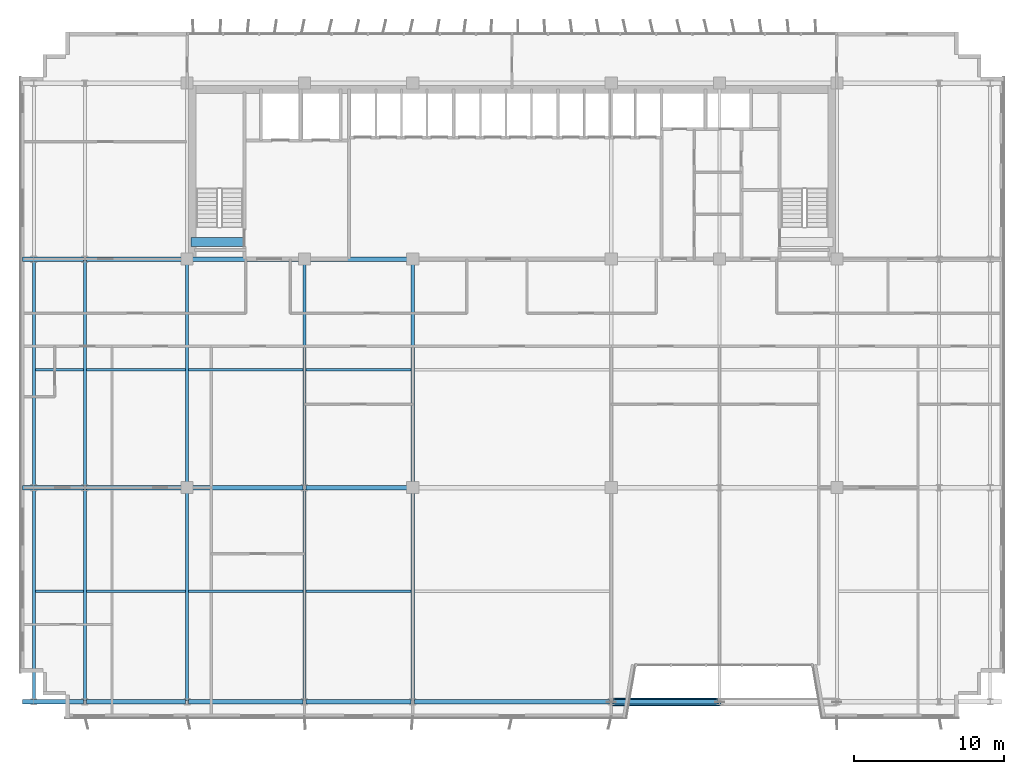
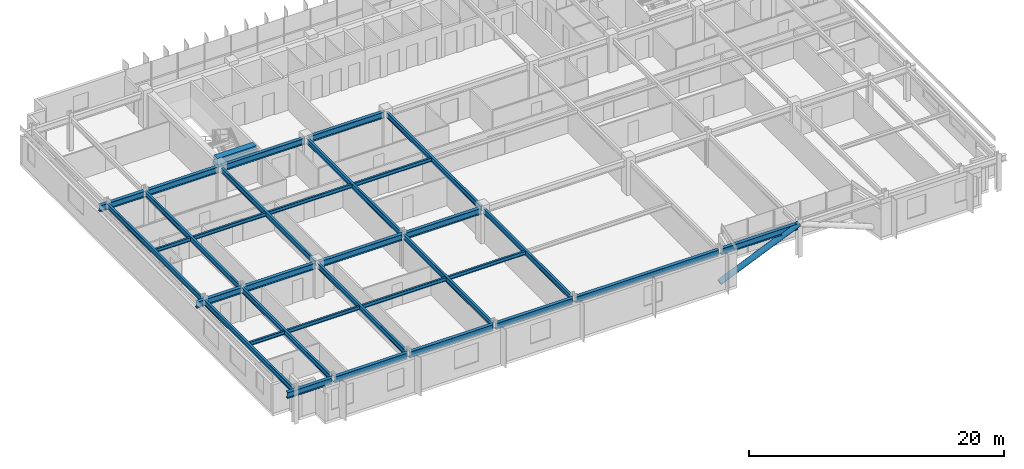
# One storey, part 5 of 26: 33 beams, 1 member.
"""IFC4 building model written with IfcOpenShell, lengths in metres."""

from ifc_helpers import new_model, si_unit, direction, frame, origin, origin_2d, place, context, subcontext, project, spatial, rectangle, hollow_circle, i_section, extrude, source, transform, mapped, material, material_profile, profile_set, type_object, element, save


model = new_model("IFC4")

# Units and contexts
model_context = context("Model", 3, precision=1e-05, world=origin(), true_north=direction((0.0, 1.0)))
body_context = subcontext(model_context, "Body", "Model", "MODEL_VIEW")
ifc_project = project(units=[si_unit("LENGTHUNIT", "METRE"), si_unit("AREAUNIT", "SQUARE_METRE"), si_unit("VOLUMEUNIT", "CUBIC_METRE"), si_unit("PLANEANGLEUNIT", "RADIAN"), si_unit("MASSUNIT", "GRAM", prefix="KILO")], contexts=[model_context])

# Site, building, storey
site_placement = place(None, origin())
site = spatial("IfcSite", under=ifc_project, at=site_placement, CompositionType="ELEMENT")
building_placement = place(site_placement, origin())
building = spatial("IfcBuilding", under=site, at=building_placement, Name="Trelvane Seafront Commons", CompositionType="ELEMENT")
storey_placement = place(building_placement, frame((0.0, 0.0, 128.5)))
storey = spatial("IfcBuildingStorey", under=building, at=storey_placement, Name="L33", CompositionType="ELEMENT", Elevation=128.5)

# Beams
ifc_material_1 = material(Name="Concrete C60/75", Category="concrete")
ifc_material_profile_1 = material_profile(ifc_material_1, rectangle(XDim=0.60009765625, YDim=0.89990234375, at=origin_2d()), Name="RC-600x900")
ifc_profile_set_1 = profile_set([ifc_material_profile_1], Name="Concrete C60/75")
beam_type_1 = type_object("IfcBeamType", Name="STR-LNT-RC600x900", PredefinedType="LINTEL", material=ifc_profile_set_1)
shared_shape_1 = source(origin(), body_context, "Body", "SweptSolid", [
    extrude(rectangle(XDim=0.60009765625, YDim=0.89990234375, at=origin_2d()), origin(), (0.0, 0.0, 1.0), 3.5498046875),
])
beam_1_placement = place(storey_placement, frame((15.85009765625, 34.550048828125, 2.77001953125), z_axis=(1.0, 0.0, 0.0), x_axis=(0.0, 1.0, 0.0)))
element("IfcBeam", 1, at=beam_1_placement, inside=storey, type_object=beam_type_1, Name="L33 Core Coupling Lintel Beam CB-83", PredefinedType="LINTEL", context=body_context, shape_type="MappedRepresentation", body=[
    mapped(shared_shape_1, transform((0.0, 0.0, 0.0), x_axis=(1.0, 0.0, 0.0), y_axis=(0.0, 1.0, 0.0), z_axis=(0.0, 0.0, 1.0), scale=1.0)),
])
ifc_material_2 = material(Name="Steel SM355 (S355)", Category="steel")
ifc_material_profile_2 = material_profile(ifc_material_2, i_section(OverallWidth=0.300048828125, OverallDepth=0.587890625, WebThickness=0.011962890625, FlangeThickness=0.02001953125, at=origin_2d()), Name="H-588x300x12x20")
ifc_profile_set_2 = profile_set([ifc_material_profile_2], Name="Steel SM355 (S355)")
beam_type_2 = type_object("IfcBeamType", Name="STR-BM-H588", PredefinedType="BEAM", material=ifc_profile_set_2)
shared_shape_2 = source(origin(), body_context, "Body", "SweptSolid", [
    extrude(i_section(OverallWidth=0.300048828125, OverallDepth=0.587890625, WebThickness=0.011962890625, FlangeThickness=0.02001953125, at=origin_2d()), origin(), (0.0, 0.0, 1.0), 7.550048828125),
])
beam_2_placement = place(storey_placement, frame((15.75, 18.199951171875, 2.926025390625), z_axis=(1.0, 0.0, 0.0), x_axis=(0.0, 1.0, 0.0)))
element("IfcBeam", 2, at=beam_2_placement, inside=storey, type_object=beam_type_2, Name="L33 Primary Girder G-12", PredefinedType="BEAM", context=body_context, shape_type="MappedRepresentation", body=[
    mapped(shared_shape_2, transform((0.0, 0.0, 0.0), x_axis=(1.0, 0.0, 0.0), y_axis=(0.0, 1.0, 0.0), z_axis=(0.0, 0.0, 1.0), scale=1.0)),
])
shared_shape_3 = source(origin(), body_context, "Body", "SweptSolid", [
    extrude(i_section(OverallWidth=0.300048828125, OverallDepth=0.587890625, WebThickness=0.011962890625, FlangeThickness=0.02001953125, at=origin_2d()), origin(), (0.0, 0.0, 1.0), 6.60009765625),
])
beam_3_placement = place(storey_placement, frame((8.89990234375, 3.949951171875, 2.926025390625), z_axis=(1.0, 0.0, 0.0), x_axis=(0.0, 1.0, 0.0)))
element("IfcBeam", 3, at=beam_3_placement, inside=storey, type_object=beam_type_2, Name="L33 Primary Girder G-02", PredefinedType="BEAM", context=body_context, shape_type="MappedRepresentation", body=[
    mapped(shared_shape_3, transform((0.0, 0.0, 0.0), x_axis=(1.0, 0.0, 0.0), y_axis=(0.0, 1.0, 0.0), z_axis=(0.0, 0.0, 1.0), scale=1.0)),
])
shared_shape_4 = source(origin(), body_context, "Body", "SweptSolid", [
    extrude(i_section(OverallWidth=0.300048828125, OverallDepth=0.587890625, WebThickness=0.011962890625, FlangeThickness=0.02001953125, at=origin_2d()), origin(), (0.0, 0.0, 1.0), 7.60009765625),
])
beam_4_placement = place(storey_placement, frame((15.699951171875, 3.949951171875, 2.926025390625), z_axis=(1.0, 0.0, 0.0), x_axis=(0.0, 1.0, 0.0)))
element("IfcBeam", 4, at=beam_4_placement, inside=storey, type_object=beam_type_2, Name="L33 Primary Girder G-03", PredefinedType="BEAM", context=body_context, shape_type="MappedRepresentation", body=[
    mapped(shared_shape_4, transform((0.0, 0.0, 0.0), x_axis=(1.0, 0.0, 0.0), y_axis=(0.0, 1.0, 0.0), z_axis=(0.0, 0.0, 1.0), scale=1.0)),
])
shared_shape_5 = source(origin(), body_context, "Body", "SweptSolid", [
    extrude(i_section(OverallWidth=0.300048828125, OverallDepth=0.587890625, WebThickness=0.011962890625, FlangeThickness=0.02001953125, at=origin_2d()), origin(), (0.0, 0.0, 1.0), 7.0),
])
for number, where, z_axis, x_axis, name in (
    (5, (23.5, 3.949951171875, 2.926025390625), (1.0, 0.0, 0.0), (0.0, 1.0, 0.0), "L33 Primary Girder G-04"),
    (6, (43.89990234375, 3.949951171875, 2.926025390625), (1.0, 0.0, 0.0), (0.0, 1.0, 0.0), "L33 Primary Girder G-06"),
):
    element("IfcBeam", number, at=place(storey_placement, frame(where, z_axis=z_axis, x_axis=x_axis)), inside=storey, type_object=beam_type_2, Name=name, PredefinedType="BEAM", context=body_context, shape_type="MappedRepresentation", body=[
        mapped(shared_shape_5, transform((0.0, 0.0, 0.0), x_axis=(1.0, 0.0, 0.0), y_axis=(0.0, 1.0, 0.0), z_axis=(0.0, 0.0, 1.0), scale=1.0)),
    ])
shared_shape_6 = source(origin(), body_context, "Body", "SweptSolid", [
    extrude(i_section(OverallWidth=0.300048828125, OverallDepth=0.587890625, WebThickness=0.011962890625, FlangeThickness=0.02001953125, at=origin_2d()), origin(), (0.0, 0.0, 1.0), 13.0),
])
beam_5_placement = place(storey_placement, frame((30.699951171875, 3.949951171875, 2.926025390625), z_axis=(1.0, 0.0, 0.0), x_axis=(0.0, 1.0, 0.0)))
element("IfcBeam", 7, at=beam_5_placement, inside=storey, type_object=beam_type_2, Name="L33 Primary Girder G-05", PredefinedType="BEAM", context=body_context, shape_type="MappedRepresentation", body=[
    mapped(shared_shape_6, transform((0.0, 0.0, 0.0), x_axis=(1.0, 0.0, 0.0), y_axis=(0.0, 1.0, 0.0), z_axis=(0.0, 0.0, 1.0), scale=1.0)),
])
shared_shape_7 = source(origin(), body_context, "Body", "SweptSolid", [
    extrude(i_section(OverallWidth=0.300048828125, OverallDepth=0.587890625, WebThickness=0.011962890625, FlangeThickness=0.02001953125, at=origin_2d()), origin(), (0.0, 0.0, 1.0), 6.550048828125),
])
for number, where, z_axis, x_axis, name in (
    (8, (8.89990234375, 18.199951171875, 2.926025390625), (1.0, 0.0, 0.0), (0.0, 1.0, 0.0), "L33 Primary Girder G-11"),
    (9, (8.89990234375, 33.39990234375, 2.926025390625), (1.0, 0.0, 0.0), (0.0, 1.0, 0.0), "L33 Primary Girder G-20"),
):
    element("IfcBeam", number, at=place(storey_placement, frame(where, z_axis=z_axis, x_axis=x_axis)), inside=storey, type_object=beam_type_2, Name=name, PredefinedType="BEAM", context=body_context, shape_type="MappedRepresentation", body=[
        mapped(shared_shape_7, transform((0.0, 0.0, 0.0), x_axis=(1.0, 0.0, 0.0), y_axis=(0.0, 1.0, 0.0), z_axis=(0.0, 0.0, 1.0), scale=1.0)),
    ])
shared_shape_8 = source(origin(), body_context, "Body", "SweptSolid", [
    extrude(i_section(OverallWidth=0.300048828125, OverallDepth=0.587890625, WebThickness=0.011962890625, FlangeThickness=0.02001953125, at=origin_2d()), origin(), (0.0, 0.0, 1.0), 6.949951171875),
])
beam_6_placement = place(storey_placement, frame((23.5, 18.199951171875, 2.926025390625), z_axis=(1.0, 0.0, 0.0), x_axis=(0.0, 1.0, 0.0)))
element("IfcBeam", 10, at=beam_6_placement, inside=storey, type_object=beam_type_2, Name="L33 Primary Girder G-13", PredefinedType="BEAM", context=body_context, shape_type="MappedRepresentation", body=[
    mapped(shared_shape_8, transform((0.0, 0.0, 0.0), x_axis=(1.0, 0.0, 0.0), y_axis=(0.0, 1.0, 0.0), z_axis=(0.0, 0.0, 1.0), scale=1.0)),
])
shared_shape_9 = source(origin(), body_context, "Body", "SweptSolid", [
    extrude(i_section(OverallWidth=0.300048828125, OverallDepth=0.587890625, WebThickness=0.011962890625, FlangeThickness=0.02001953125, at=origin_2d()), origin(), (0.0, 0.0, 1.0), 7.5),
])
beam_7_placement = place(storey_placement, frame((15.75, 33.39990234375, 2.926025390625), z_axis=(1.0, 0.0, 0.0), x_axis=(0.0, 1.0, 0.0)))
element("IfcBeam", 11, at=beam_7_placement, inside=storey, type_object=beam_type_2, Name="L33 Primary Girder G-21", PredefinedType="BEAM", context=body_context, shape_type="MappedRepresentation", body=[
    mapped(shared_shape_9, transform((0.0, 0.0, 0.0), x_axis=(1.0, 0.0, 0.0), y_axis=(0.0, 1.0, 0.0), z_axis=(0.0, 0.0, 1.0), scale=1.0)),
])
shared_shape_10 = source(origin(), body_context, "Body", "SweptSolid", [
    extrude(i_section(OverallWidth=0.300048828125, OverallDepth=0.587890625, WebThickness=0.011962890625, FlangeThickness=0.02001953125, at=origin_2d()), origin(), (0.0, 0.0, 1.0), 6.89990234375),
])
beam_8_placement = place(storey_placement, frame((23.550048828125, 33.39990234375, 2.926025390625), z_axis=(1.0, 0.0, 0.0), x_axis=(0.0, 1.0, 0.0)))
element("IfcBeam", 12, at=beam_8_placement, inside=storey, type_object=beam_type_2, Name="L33 Primary Girder G-22", PredefinedType="BEAM", context=body_context, shape_type="MappedRepresentation", body=[
    mapped(shared_shape_10, transform((0.0, 0.0, 0.0), x_axis=(1.0, 0.0, 0.0), y_axis=(0.0, 1.0, 0.0), z_axis=(0.0, 0.0, 1.0), scale=1.0)),
])
ifc_material_profile_3 = material_profile(ifc_material_2, i_section(OverallWidth=0.199951171875, OverallDepth=0.5, WebThickness=0.010009765625, FlangeThickness=0.01611328125, at=origin_2d()), Name="H-500x200x10x16")
ifc_profile_set_3 = profile_set([ifc_material_profile_3], Name="Steel SM355 (S355)")
beam_type_3 = type_object("IfcBeamType", Name="STR-BM-H500", PredefinedType="BEAM", material=ifc_profile_set_3)
shared_shape_11 = source(origin(), body_context, "Body", "SweptSolid", [
    extrude(i_section(OverallWidth=0.199951171875, OverallDepth=0.5, WebThickness=0.010009765625, FlangeThickness=0.01611328125, at=origin_2d()), origin(), (0.0, 0.0, 1.0), 14.050048828125),
])
for number, where, z_axis, x_axis, name in (
    (13, (5.39990234375, 4.050048828125, 2.969970703125), (0.0, 1.0, 0.0), (-1.0, 0.0, 0.0), "L33 Primary Girder G-37"),
    (14, (8.800048828125, 4.050048828125, 2.969970703125), (0.0, 1.0, 0.0), (-1.0, 0.0, 0.0), "L33 Primary Girder G-40"),
    (15, (23.39990234375, 4.050048828125, 2.969970703125), (0.0, 1.0, 0.0), (-1.0, 0.0, 0.0), "L33 Primary Girder G-46"),
):
    element("IfcBeam", number, at=place(storey_placement, frame(where, z_axis=z_axis, x_axis=x_axis)), inside=storey, type_object=beam_type_3, Name=name, PredefinedType="BEAM", context=body_context, shape_type="MappedRepresentation", body=[
        mapped(shared_shape_11, transform((0.0, 0.0, 0.0), x_axis=(1.0, 0.0, 0.0), y_axis=(0.0, 1.0, 0.0), z_axis=(0.0, 0.0, 1.0), scale=1.0)),
    ])
shared_shape_12 = source(origin(), body_context, "Body", "SweptSolid", [
    extrude(i_section(OverallWidth=0.199951171875, OverallDepth=0.5, WebThickness=0.010009765625, FlangeThickness=0.01611328125, at=origin_2d()), origin(), (0.0, 0.0, 1.0), 15.0),
])
for number, where, z_axis, x_axis, name in (
    (16, (5.39990234375, 18.300048828125, 2.969970703125), (0.0, 1.0, 0.0), (-1.0, 0.0, 0.0), "L33 Primary Girder G-38"),
    (17, (8.800048828125, 18.300048828125, 2.969970703125), (0.0, 1.0, 0.0), (-1.0, 0.0, 0.0), "L33 Primary Girder G-41"),
):
    element("IfcBeam", number, at=place(storey_placement, frame(where, z_axis=z_axis, x_axis=x_axis)), inside=storey, type_object=beam_type_3, Name=name, PredefinedType="BEAM", context=body_context, shape_type="MappedRepresentation", body=[
        mapped(shared_shape_12, transform((0.0, 0.0, 0.0), x_axis=(1.0, 0.0, 0.0), y_axis=(0.0, 1.0, 0.0), z_axis=(0.0, 0.0, 1.0), scale=1.0)),
    ])
shared_shape_13 = source(origin(), body_context, "Body", "SweptSolid", [
    extrude(i_section(OverallWidth=0.199951171875, OverallDepth=0.5, WebThickness=0.010009765625, FlangeThickness=0.01611328125, at=origin_2d()), origin(), (0.0, 0.0, 1.0), 14.0),
])
for number, where, z_axis, x_axis, name in (
    (18, (15.60009765625, 4.050048828125, 2.969970703125), (0.0, 1.0, 0.0), (-1.0, 0.0, 0.0), "L33 Primary Girder G-43"),
    (19, (30.60009765625, 4.050048828125, 2.969970703125), (0.0, 1.0, 0.0), (-1.0, 0.0, 0.0), "L33 Primary Girder G-49"),
):
    element("IfcBeam", number, at=place(storey_placement, frame(where, z_axis=z_axis, x_axis=x_axis)), inside=storey, type_object=beam_type_3, Name=name, PredefinedType="BEAM", context=body_context, shape_type="MappedRepresentation", body=[
        mapped(shared_shape_13, transform((0.0, 0.0, 0.0), x_axis=(1.0, 0.0, 0.0), y_axis=(0.0, 1.0, 0.0), z_axis=(0.0, 0.0, 1.0), scale=1.0)),
    ])
shared_shape_14 = source(origin(), body_context, "Body", "SweptSolid", [
    extrude(i_section(OverallWidth=0.199951171875, OverallDepth=0.5, WebThickness=0.010009765625, FlangeThickness=0.01611328125, at=origin_2d()), origin(), (0.0, 0.0, 1.0), 14.89990234375),
])
for number, where, z_axis, x_axis, name in (
    (20, (15.60009765625, 18.35009765625, 2.969970703125), (0.0, 1.0, 0.0), (-1.0, 0.0, 0.0), "L33 Primary Girder G-44"),
    (21, (30.60009765625, 18.35009765625, 2.969970703125), (0.0, 1.0, 0.0), (-1.0, 0.0, 0.0), "L33 Primary Girder G-50"),
):
    element("IfcBeam", number, at=place(storey_placement, frame(where, z_axis=z_axis, x_axis=x_axis)), inside=storey, type_object=beam_type_3, Name=name, PredefinedType="BEAM", context=body_context, shape_type="MappedRepresentation", body=[
        mapped(shared_shape_14, transform((0.0, 0.0, 0.0), x_axis=(1.0, 0.0, 0.0), y_axis=(0.0, 1.0, 0.0), z_axis=(0.0, 0.0, 1.0), scale=1.0)),
    ])
shared_shape_15 = source(origin(), body_context, "Body", "SweptSolid", [
    extrude(i_section(OverallWidth=0.199951171875, OverallDepth=0.5, WebThickness=0.010009765625, FlangeThickness=0.01611328125, at=origin_2d()), origin(), (0.0, 0.0, 1.0), 14.949951171875),
])
beam_9_placement = place(storey_placement, frame((23.39990234375, 18.300048828125, 2.969970703125), z_axis=(0.0, 1.0, 0.0), x_axis=(-1.0, 0.0, 0.0)))
element("IfcBeam", 22, at=beam_9_placement, inside=storey, type_object=beam_type_3, Name="L33 Primary Girder G-47", PredefinedType="BEAM", context=body_context, shape_type="MappedRepresentation", body=[
    mapped(shared_shape_15, transform((0.0, 0.0, 0.0), x_axis=(1.0, 0.0, 0.0), y_axis=(0.0, 1.0, 0.0), z_axis=(0.0, 0.0, 1.0), scale=1.0)),
])
ifc_material_profile_4 = material_profile(ifc_material_2, i_section(OverallWidth=0.175048828125, OverallDepth=0.35009765625, WebThickness=0.007080078125, FlangeThickness=0.010986328125, at=origin_2d()), Name="H-350x175x7x11")
ifc_profile_set_4 = profile_set([ifc_material_profile_4], Name="Steel SM355 (S355)")
beam_type_4 = type_object("IfcBeamType", Name="STR-JST-H350", PredefinedType="JOIST", material=ifc_profile_set_4)
shared_shape_16 = source(origin(), body_context, "Body", "SweptSolid", [
    extrude(i_section(OverallWidth=0.175048828125, OverallDepth=0.35009765625, WebThickness=0.007080078125, FlangeThickness=0.010986328125, at=origin_2d()), origin(), (0.0, 0.0, 1.0), 3.199951171875),
])
for number, where, z_axis, x_axis, name in (
    (23, (5.5, 11.324951171875, 3.044921875), (1.0, 0.0, 0.0), (0.0, 1.0, 0.0), "L33 Secondary Floor Joist B-67"),
    (24, (5.5, 26.050048828125, 3.044921875), (1.0, 0.0, 0.0), (0.0, 1.0, 0.0), "L33 Secondary Floor Joist B-74"),
):
    element("IfcBeam", number, at=place(storey_placement, frame(where, z_axis=z_axis, x_axis=x_axis)), inside=storey, type_object=beam_type_4, Name=name, PredefinedType="JOIST", context=body_context, shape_type="MappedRepresentation", body=[
        mapped(shared_shape_16, transform((0.0, 0.0, 0.0), x_axis=(1.0, 0.0, 0.0), y_axis=(0.0, 1.0, 0.0), z_axis=(0.0, 0.0, 1.0), scale=1.0)),
    ])
shared_shape_17 = source(origin(), body_context, "Body", "SweptSolid", [
    extrude(i_section(OverallWidth=0.175048828125, OverallDepth=0.35009765625, WebThickness=0.007080078125, FlangeThickness=0.010986328125, at=origin_2d()), origin(), (0.0, 0.0, 1.0), 6.60009765625),
])
for number, where, z_axis, x_axis, name in (
    (25, (8.89990234375, 11.324951171875, 3.044921875), (1.0, 0.0, 0.0), (0.0, 1.0, 0.0), "L33 Secondary Floor Joist B-68"),
    (26, (8.89990234375, 26.050048828125, 3.044921875), (1.0, 0.0, 0.0), (0.0, 1.0, 0.0), "L33 Secondary Floor Joist B-75"),
):
    element("IfcBeam", number, at=place(storey_placement, frame(where, z_axis=z_axis, x_axis=x_axis)), inside=storey, type_object=beam_type_4, Name=name, PredefinedType="JOIST", context=body_context, shape_type="MappedRepresentation", body=[
        mapped(shared_shape_17, transform((0.0, 0.0, 0.0), x_axis=(1.0, 0.0, 0.0), y_axis=(0.0, 1.0, 0.0), z_axis=(0.0, 0.0, 1.0), scale=1.0)),
    ])
shared_shape_18 = source(origin(), body_context, "Body", "SweptSolid", [
    extrude(i_section(OverallWidth=0.175048828125, OverallDepth=0.35009765625, WebThickness=0.007080078125, FlangeThickness=0.010986328125, at=origin_2d()), origin(), (0.0, 0.0, 1.0), 7.60009765625),
])
for number, where, z_axis, x_axis, name in (
    (27, (15.699951171875, 11.324951171875, 3.044921875), (1.0, 0.0, 0.0), (0.0, 1.0, 0.0), "L33 Secondary Floor Joist B-69"),
    (28, (15.699951171875, 26.050048828125, 3.044921875), (1.0, 0.0, 0.0), (0.0, 1.0, 0.0), "L33 Secondary Floor Joist B-76"),
):
    element("IfcBeam", number, at=place(storey_placement, frame(where, z_axis=z_axis, x_axis=x_axis)), inside=storey, type_object=beam_type_4, Name=name, PredefinedType="JOIST", context=body_context, shape_type="MappedRepresentation", body=[
        mapped(shared_shape_18, transform((0.0, 0.0, 0.0), x_axis=(1.0, 0.0, 0.0), y_axis=(0.0, 1.0, 0.0), z_axis=(0.0, 0.0, 1.0), scale=1.0)),
    ])
shared_shape_19 = source(origin(), body_context, "Body", "SweptSolid", [
    extrude(i_section(OverallWidth=0.175048828125, OverallDepth=0.35009765625, WebThickness=0.007080078125, FlangeThickness=0.010986328125, at=origin_2d()), origin(), (0.0, 0.0, 1.0), 7.0),
])
for number, where, z_axis, x_axis, name in (
    (29, (23.5, 11.324951171875, 3.044921875), (1.0, 0.0, 0.0), (0.0, 1.0, 0.0), "L33 Secondary Floor Joist B-70"),
    (30, (23.5, 26.050048828125, 3.044921875), (1.0, 0.0, 0.0), (0.0, 1.0, 0.0), "L33 Secondary Floor Joist B-77"),
):
    element("IfcBeam", number, at=place(storey_placement, frame(where, z_axis=z_axis, x_axis=x_axis)), inside=storey, type_object=beam_type_4, Name=name, PredefinedType="JOIST", context=body_context, shape_type="MappedRepresentation", body=[
        mapped(shared_shape_19, transform((0.0, 0.0, 0.0), x_axis=(1.0, 0.0, 0.0), y_axis=(0.0, 1.0, 0.0), z_axis=(0.0, 0.0, 1.0), scale=1.0)),
    ])
shared_shape_20 = source(origin(), body_context, "Body", "SweptSolid", [
    extrude(i_section(OverallWidth=0.300048828125, OverallDepth=0.587890625, WebThickness=0.011962890625, FlangeThickness=0.02001953125, at=origin_2d()), origin(), (0.0, 0.0, 1.0), 4.050048828125),
])
for number, where, z_axis, x_axis, name in (
    (31, (4.64990234375, 3.949951171875, 2.926025390625), (1.0, 0.0, 0.0), (0.0, 1.0, 0.0), "L33 Primary Girder G-01"),
    (32, (4.64990234375, 18.199951171875, 2.926025390625), (1.0, 0.0, 0.0), (0.0, 1.0, 0.0), "L33 Primary Girder G-10"),
    (33, (4.64990234375, 33.39990234375, 2.926025390625), (1.0, 0.0, 0.0), (0.0, 1.0, 0.0), "L33 Primary Girder G-19"),
):
    element("IfcBeam", number, at=place(storey_placement, frame(where, z_axis=z_axis, x_axis=x_axis)), inside=storey, type_object=beam_type_2, Name=name, PredefinedType="BEAM", context=body_context, shape_type="MappedRepresentation", body=[
        mapped(shared_shape_20, transform((0.0, 0.0, 0.0), x_axis=(1.0, 0.0, 0.0), y_axis=(0.0, 1.0, 0.0), z_axis=(0.0, 0.0, 1.0), scale=1.0)),
    ])

# Member
ifc_material_profile_5 = material_profile(ifc_material_2, hollow_circle(Radius=0.25390625, WallThickness=0.02001953125, at=origin_2d()), Name="CHS-508x20")
ifc_profile_set_5 = profile_set([ifc_material_profile_5], Name="Steel SM355 (S355)")
member_type = type_object("IfcMemberType", Name="STR-STR-CHS508", PredefinedType="STRUT", material=ifc_profile_set_5)
shared_shape_21 = source(origin(), body_context, "Body", "SweptSolid", [
    extrude(hollow_circle(Radius=0.25390625, WallThickness=0.02001953125, at=origin_2d()), origin(), (0.0, 0.0, 1.0), 7.839111328125),
])
member_placement = place(storey_placement, frame((43.800048828125, 3.949951171875, 0.0), z_axis=(0.918478411039, 0.0, 0.395471122151), x_axis=(0.0, 1.0, 0.0)))
element("IfcMember", 34, at=member_placement, inside=storey, type_object=member_type, Name="L33 Sky-Garden V-Chevron Brace SGV-W", PredefinedType="STRUT", context=body_context, shape_type="MappedRepresentation", body=[
    mapped(shared_shape_21, transform((0.0, 0.0, 0.0), x_axis=(1.0, 0.0, 0.0), y_axis=(0.0, 1.0, 0.0), z_axis=(0.0, 0.0, 1.0), scale=1.0)),
])

save(model, "model.ifc")
